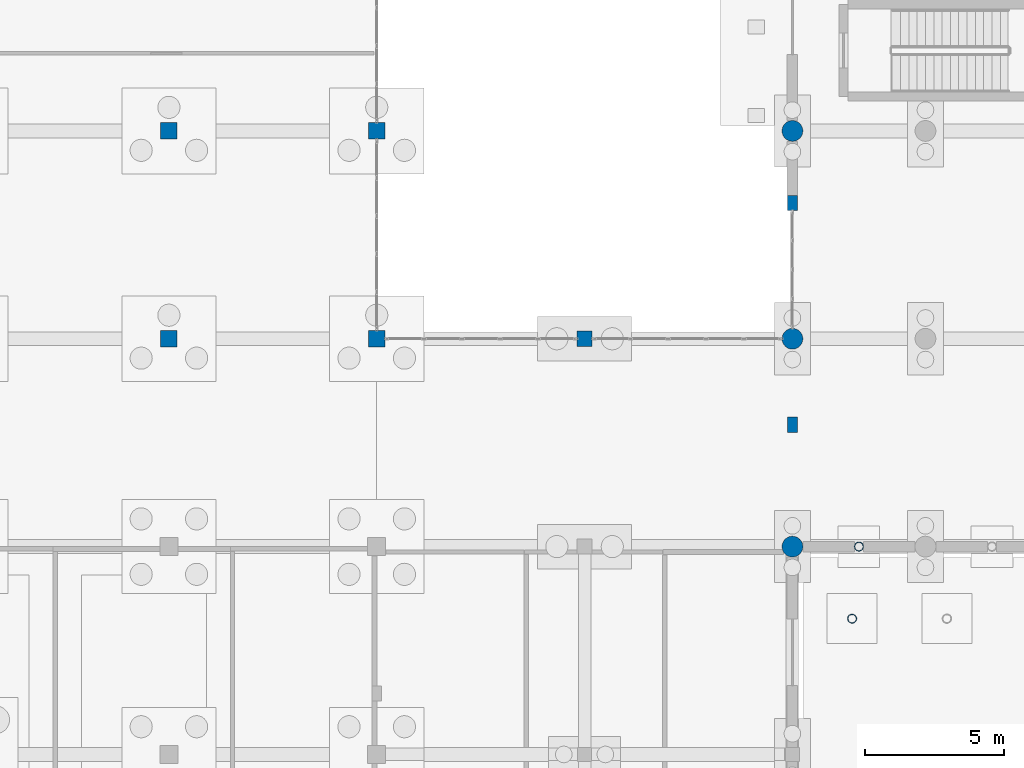
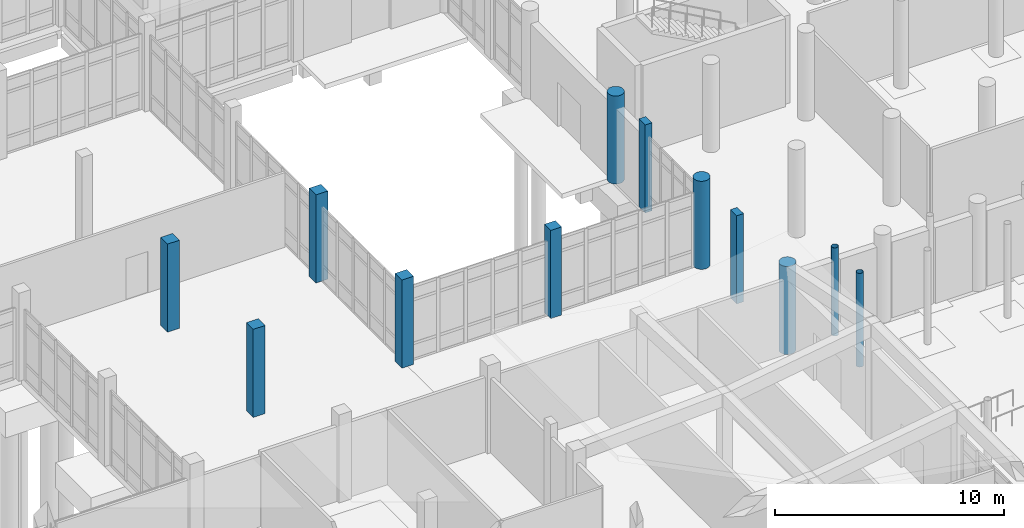
# One storey, part 10 of 173: 12 columns.
"""IFC4 building model written with IfcOpenShell, lengths in metres."""

from ifc_helpers import new_model, si_unit, direction, frame, origin, origin_2d, place, context, subcontext, project, spatial, rectangle, circle, hollow_circle, extrude, material, material_profile, profile_set, type_object, element, save


model = new_model("IFC4")

# Units and contexts
model_context = context("Model", 3, precision=1e-05, world=origin(), true_north=direction((0.0, 1.0)))
body_context = subcontext(model_context, "Body", "Model", "MODEL_VIEW")
ifc_project = project(units=[si_unit("LENGTHUNIT", "METRE"), si_unit("AREAUNIT", "SQUARE_METRE"), si_unit("VOLUMEUNIT", "CUBIC_METRE"), si_unit("PLANEANGLEUNIT", "RADIAN"), si_unit("MASSUNIT", "GRAM", prefix="KILO")], contexts=[model_context])

# Site, building, storey
site_placement = place(None, origin())
site = spatial("IfcSite", under=ifc_project, at=site_placement, CompositionType="ELEMENT")
building_placement = place(site_placement, origin())
building = spatial("IfcBuilding", under=site, at=building_placement, Name="Mawjan Specialist Oncology Clinic", CompositionType="ELEMENT")
storey_placement = place(building_placement, origin())
storey = spatial("IfcBuildingStorey", under=building, at=storey_placement, Name="L00", CompositionType="ELEMENT", Elevation=0.0)

# Columns
ifc_material_1 = material(Name="Concrete C45/55", Category="concrete")
ifc_material_profile_1 = material_profile(ifc_material_1, rectangle(XDim=0.550048828125, YDim=0.550048828125, at=origin_2d()), Name="RC COL 550x550", Category="concrete")
ifc_profile_set_1 = profile_set([ifc_material_profile_1], Name="Concrete C45/55")
column_type_1 = type_object("IfcColumnType", Name="C-550", PredefinedType="COLUMN", material=ifc_profile_set_1)
column_1_placement = place(storey_placement, frame((52.5, 53.300048828125, 0.0), z_axis=(0.0, 0.0, 1.0), x_axis=(1.0, 0.0, 0.0)))
element("IfcColumn", 1, at=column_1_placement, inside=storey, type_object=column_type_1, Name="L00 Column G-8-H", PredefinedType="COLUMN", context=body_context, shape_type="SweptSolid", body=[
    extrude(rectangle(XDim=0.550048828125, YDim=0.550048828125, at=origin_2d()), origin(), (0.0, 0.0, 1.0), 4.699951171875),
])
ifc_material_2 = material(Name="Concrete C45/55", Category="concrete")
ifc_material_profile_2 = material_profile(ifc_material_2, rectangle(XDim=0.60009765625, YDim=0.60009765625, at=origin_2d()), Name="RC COL 600x600", Category="concrete")
ifc_profile_set_2 = profile_set([ifc_material_profile_2], Name="Concrete C45/55")
column_type_2 = type_object("IfcColumnType", Name="C-600", PredefinedType="COLUMN", material=ifc_profile_set_2)
for number, where, z_axis, x_axis, name in (
    (2, (37.5, 53.300048828125, 0.0), (0.0, 0.0, 1.0), (1.0, 0.0, 0.0), "L00 Column G-6-H"),
    (3, (37.5, 60.800048828125, 0.0), (0.0, 0.0, 1.0), (1.0, 0.0, 0.0), "L00 Column G-6-J"),
    (4, (45.0, 53.300048828125, 0.0), (0.0, 0.0, 1.0), (1.0, 0.0, 0.0), "L00 Column G-7-H"),
    (5, (45.0, 60.800048828125, 0.0), (0.0, 0.0, 1.0), (1.0, 0.0, 0.0), "L00 Column G-7-J"),
):
    element("IfcColumn", number, at=place(storey_placement, frame(where, z_axis=z_axis, x_axis=x_axis)), inside=storey, type_object=column_type_2, Name=name, PredefinedType="COLUMN", context=body_context, shape_type="SweptSolid", body=[
        extrude(rectangle(XDim=0.60009765625, YDim=0.60009765625, at=origin_2d()), origin(), (0.0, 0.0, 1.0), 4.699951171875),
    ])
ifc_material_3 = material(Name="Concrete C45/55", Category="concrete")
ifc_material_profile_3 = material_profile(ifc_material_3, circle(Radius=0.375, at=origin_2d()), Name="RC COL D750", Category="concrete")
ifc_profile_set_3 = profile_set([ifc_material_profile_3], Name="Concrete C45/55")
column_type_3 = type_object("IfcColumnType", Name="C-D750", PredefinedType="COLUMN", material=ifc_profile_set_3)
for number, where, z_axis, x_axis, name in (
    (6, (60.0, 45.800048828125, 0.0), (0.0, 0.0, 1.0), (1.0, 0.0, 0.0), "L00 Column G-9-G"),
    (7, (60.0, 53.300048828125, 0.0), (0.0, 0.0, 1.0), (1.0, 0.0, 0.0), "L00 Column G-9-H"),
    (8, (60.0, 60.800048828125, 0.0), (0.0, 0.0, 1.0), (1.0, 0.0, 0.0), "L00 Column G-9-J"),
):
    element("IfcColumn", number, at=place(storey_placement, frame(where, z_axis=z_axis, x_axis=x_axis)), inside=storey, type_object=column_type_3, Name=name, PredefinedType="COLUMN", context=body_context, shape_type="SweptSolid", body=[
        extrude(circle(Radius=0.375, at=origin_2d()), origin(), (0.0, 0.0, 1.0), 4.699951171875),
    ])
ifc_material_4 = material(Name="Concrete C45/55", Category="concrete")
ifc_material_profile_4 = material_profile(ifc_material_4, rectangle(XDim=0.35009765625, YDim=0.550048828125, at=origin_2d()), Name="RC PIL 350x550", Category="concrete")
ifc_profile_set_4 = profile_set([ifc_material_profile_4], Name="Concrete C45/55")
column_type_4 = type_object("IfcColumnType", Name="PIL-350", PredefinedType="PILASTER", material=ifc_profile_set_4)
for number, where, z_axis, x_axis, name in (
    (9, (60.0, 50.199951171875, 0.0), (0.0, 0.0, 1.0), (1.0, 0.0, 0.0), "L00 Architectural Structural Pilaster 10"),
    (10, (60.0, 58.199951171875, 0.0), (0.0, 0.0, 1.0), (1.0, 0.0, 0.0), "L00 Architectural Structural Pilaster 11"),
):
    element("IfcColumn", number, at=place(storey_placement, frame(where, z_axis=z_axis, x_axis=x_axis)), inside=storey, type_object=column_type_4, Name=name, PredefinedType="PILASTER", context=body_context, shape_type="SweptSolid", body=[
        extrude(rectangle(XDim=0.35009765625, YDim=0.550048828125, at=origin_2d()), origin(), (0.0, 0.0, 1.0), 4.699951171875),
    ])
ifc_material_5 = material(Name="Structural steel S355", Category="steel")
ifc_material_profile_5 = material_profile(ifc_material_5, hollow_circle(Radius=0.161865234375, WallThickness=0.011962890625, at=origin_2d()), Name="CHS 323.9x12", Category="steel")
ifc_profile_set_5 = profile_set([ifc_material_profile_5], Name="Structural steel S355")
column_type_5 = type_object("IfcColumnType", Name="SC-CHS324", PredefinedType="COLUMN", material=ifc_profile_set_5)
column_2_placement = place(storey_placement, frame((62.39990234375, 45.800048828125, 0.0), z_axis=(0.0, 0.0, 1.0), x_axis=(1.0, 0.0, 0.0)))
element("IfcColumn", 11, at=column_2_placement, inside=storey, type_object=column_type_5, Name="Hall South Ridge L00 Column 01", PredefinedType="COLUMN", context=body_context, shape_type="SweptSolid", body=[
    extrude(hollow_circle(Radius=0.161865234375, WallThickness=0.011962890625, at=origin_2d()), origin(), (0.0, 0.0, 1.0), 4.699951171875),
])
column_3_placement = place(storey_placement, frame((62.152587890625, 43.199951171875, 0.0), z_axis=(0.0, 0.0, 1.0), x_axis=(1.0, 0.0, 0.0)))
element("IfcColumn", 12, at=column_3_placement, inside=storey, type_object=column_type_5, Name="Courtyard North Colonnade Column 01 L00", PredefinedType="COLUMN", context=body_context, shape_type="SweptSolid", body=[
    extrude(hollow_circle(Radius=0.161865234375, WallThickness=0.011962890625, at=origin_2d()), origin(), (0.0, 0.0, 1.0), 5.0),
])

save(model, "model.ifc")
